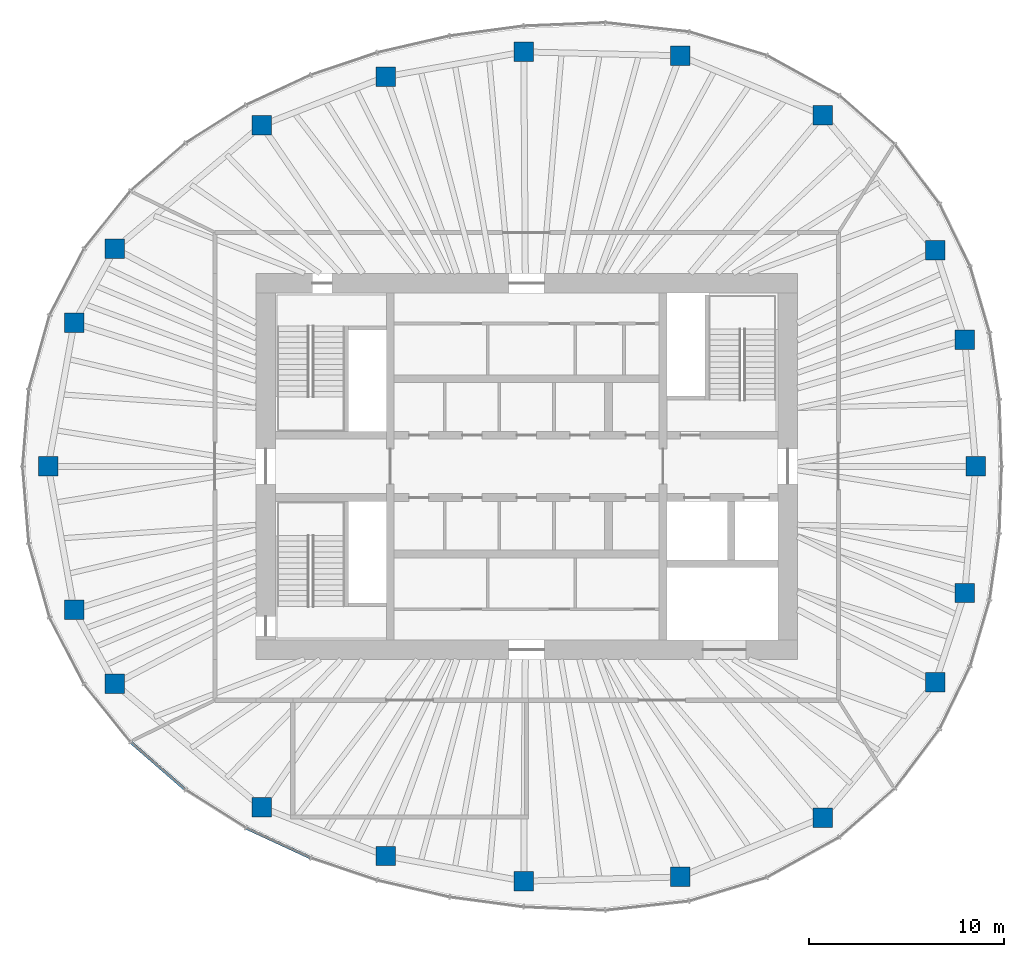
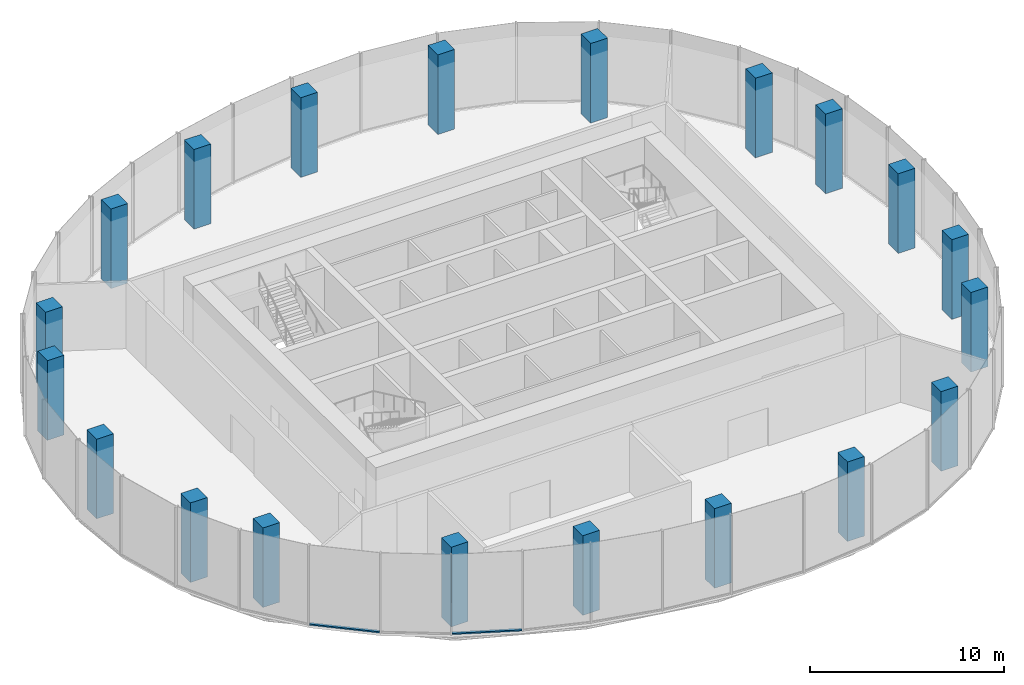
# One storey, part 1 of 11: 20 columns, 2 members, 2 elements without a shape of their own.
"""IFC4 building model written with IfcOpenShell, lengths in metres."""

import ifcopenshell
import ifcopenshell.guid

model = None  # the IFC model being written
_history = None  # IfcOwnerHistory: only IFC2X3 demands one
_inside = {}  # id of a spatial element -> (the spatial element, [elements in it])
_under = {}  # id of a project, library or spatial element -> (it, [spatial elements below it])
_declared = {}  # id of a project -> (the project, [libraries it declares])
_typed = {}  # id of a type object -> (the type object, [elements of that type])
_made_of = {}  # id of a material, layer set ... -> (it, [elements and type objects made of it])


def new_model(schema):
    """Start an empty IFC model of exactly this schema.

    Asked for "IFC4X3", IfcOpenShell would pick the latest addendum, in which some entities
    have other attributes; the version numbers below select the first issue.
    IFC2X3 requires an IfcOwnerHistory on every rooted entity: one is made here for all.
    """
    global model, _history
    if schema == "IFC4X3":
        model = ifcopenshell.file(schema_version=(4, 3, 0, 0))
    else:
        model = ifcopenshell.file(schema=schema)
    _inside.clear()
    _under.clear()
    _declared.clear()
    _typed.clear()
    _made_of.clear()
    _history = None
    if model.schema == "IFC2X3":
        org = make("IfcOrganization", Name="unknown")
        user = make(
            "IfcPersonAndOrganization",
            ThePerson=make("IfcPerson", FamilyName="unknown"),
            TheOrganization=org,
        )
        app = make(
            "IfcApplication",
            ApplicationDeveloper=org,
            Version="unknown",
            ApplicationFullName="unknown",
            ApplicationIdentifier="unknown",
        )
        _history = make(
            "IfcOwnerHistory",
            OwningUser=user,
            OwningApplication=app,
            ChangeAction="ADDED",
            CreationDate=0,
        )
    return model


def make(cls, **values):
    """One entity of the class cls with the attributes given. An attribute that is None is left unset."""
    return model.create_entity(
        cls, **{name: value for name, value in values.items() if value is not None}
    )


def rooted(cls, **values):
    """An entity with a GlobalId (a new one), such as an element, a storey or a relation."""
    return make(cls, GlobalId=ifcopenshell.guid.new(), OwnerHistory=_history, **values)


def si_unit(unit_type, name, prefix=None):
    """IfcSIUnit, for example si_unit("LENGTHUNIT", "METRE", prefix="MILLI")."""
    return make("IfcSIUnit", UnitType=unit_type, Prefix=prefix, Name=name)


def assignment(units):
    """IfcUnitAssignment: the units of a project."""
    return None if units is None else make("IfcUnitAssignment", Units=units)


def point(xyz):
    """IfcCartesianPoint."""
    return None if xyz is None else make("IfcCartesianPoint", Coordinates=xyz)


def direction(xyz):
    """IfcDirection."""
    return None if xyz is None else make("IfcDirection", DirectionRatios=xyz)


def frame(location, z_axis=None, x_axis=None):
    """IfcAxis2Placement3D, a coordinate frame: its origin and axes. An axis left out is left unset."""
    return make(
        "IfcAxis2Placement3D",
        Location=point(location),
        Axis=direction(z_axis),
        RefDirection=direction(x_axis),
    )


def frame_2d(location, x_axis=None):
    """IfcAxis2Placement2D, a coordinate frame in the plane: its origin and x axis."""
    return make(
        "IfcAxis2Placement2D", Location=point(location), RefDirection=direction(x_axis)
    )


def origin():
    """The frame at (0, 0, 0) with its axes left unset."""
    return frame((0.0, 0.0, 0.0))


def origin_2d():
    """The frame at (0, 0) in the plane with its x axis left unset."""
    return frame_2d((0.0, 0.0))


def place(relative_to, where):
    """IfcLocalPlacement: puts the frame where relative to a parent placement (None: the world)."""
    return make(
        "IfcLocalPlacement", PlacementRelTo=relative_to, RelativePlacement=where
    )


def context(
    kind, dimensions, precision=None, world=None, true_north=None, identifier=None
):
    """IfcGeometricRepresentationContext, for example the 3D "Model" context."""
    return make(
        "IfcGeometricRepresentationContext",
        ContextIdentifier=identifier,
        ContextType=kind,
        CoordinateSpaceDimension=dimensions,
        Precision=precision,
        WorldCoordinateSystem=world,
        TrueNorth=true_north,
    )


def subcontext(parent, identifier, kind, view, scale=None):
    """IfcGeometricRepresentationSubContext, for example "Body" below "Model"."""
    return make(
        "IfcGeometricRepresentationSubContext",
        ContextIdentifier=identifier,
        ContextType=kind,
        ParentContext=parent,
        TargetScale=scale,
        TargetView=view,
    )


def project(units=None, contexts=None):
    """IfcProject with its units and contexts."""
    return rooted(
        "IfcProject",
        Name="project",
        RepresentationContexts=contexts,
        UnitsInContext=assignment(units),
    )


def spatial(cls, under=None, at=None, **own):
    """A site, building, storey or space (cls), placed at a placement, below another one or the project."""
    s = rooted(cls, ObjectPlacement=at, **own)
    if under is not None:
        _under.setdefault(under.id(), (under, []))[1].append(s)
    return s


def profile(cls, at=None, kind="AREA", **sizes):
    """A parametric profile (cls). Its sizes go by their IFC names, for example OverallWidth=200.0."""
    return make(cls, ProfileType=kind, Position=at, **sizes)


def rectangle(**sizes):
    """IfcRectangleProfileDef."""
    return profile("IfcRectangleProfileDef", **sizes)


def extrude(swept, where, along, depth):
    """IfcExtrudedAreaSolid: the profile swept, set in the frame where, extruded along a direction by depth."""
    return make(
        "IfcExtrudedAreaSolid",
        SweptArea=swept,
        Position=where,
        ExtrudedDirection=direction(along),
        Depth=depth,
    )


def shape(context_of_items, identifier, shape_type, items):
    """IfcShapeRepresentation: the items that make up one representation, for example the "Body"."""
    return make(
        "IfcShapeRepresentation",
        ContextOfItems=context_of_items,
        RepresentationIdentifier=identifier,
        RepresentationType=shape_type,
        Items=items,
    )


def material(Name=None, Category=None):
    """IfcMaterial."""
    return make("IfcMaterial", Name=Name, Category=Category)


def material_profile(
    of_material, cross_section, Name=None, Category=None, Priority=None
):
    """IfcMaterialProfile: a cross section and its material."""
    return make(
        "IfcMaterialProfile",
        Name=Name,
        Material=of_material,
        Profile=cross_section,
        Priority=Priority,
        Category=Category,
    )


def profile_set(profiles, Name=None, composite=None):
    """IfcMaterialProfileSet."""
    return make(
        "IfcMaterialProfileSet",
        Name=Name,
        MaterialProfiles=profiles,
        CompositeProfile=composite,
    )


def made_of(thing, what):
    """Note that an element or type object is made of a material, layer set ...; save() writes the relation."""
    if what is not None:
        _made_of.setdefault(what.id(), (what, []))[1].append(thing)
    return thing


def type_object(cls, material=None, **own):
    """A type object (cls), such as IfcWallType, which elements share."""
    return made_of(rooted(cls, **own), material)


def element(
    cls,
    number,
    at=None,
    inside=None,
    cuts=None,
    type_object=None,
    material=None,
    context=None,
    identifier="Body",
    shape_type=None,
    held_by="IfcProductDefinitionShape",
    body=None,
    shapes=None,
    **own,
):
    """One element of the class cls, such as IfcWall. Its Tag is "e" and its number.

    at: its placement. inside: the storey or other place that contains it. cuts: it is an
    opening in that element (IfcRelVoidsElement). A single representation is given by context,
    identifier, shape_type and body (its items); several are given by shapes. held_by: the class
    of the entity that holds the representations. save() writes the other relations.
    """
    e = rooted(cls, Tag="e%d" % number, ObjectPlacement=at, **own)
    if body is not None:
        shapes = [shape(context, identifier, shape_type, body)]
    if shapes is not None:
        e.Representation = make(held_by, Representations=shapes)
    if inside is not None:
        _inside.setdefault(inside.id(), (inside, []))[1].append(e)
    if cuts is not None:
        rooted(
            "IfcRelVoidsElement", RelatingBuildingElement=cuts, RelatedOpeningElement=e
        )
    if type_object is not None:
        _typed.setdefault(type_object.id(), (type_object, []))[1].append(e)
    return made_of(e, material)


def aggregate(whole, parts):
    """IfcRelAggregates: a whole, such as a stair, and the parts it consists of."""
    return rooted("IfcRelAggregates", RelatingObject=whole, RelatedObjects=parts)


def save(model, path):
    """Write the relations noted so far, then the file.

    IfcRelAggregates (storeys below a building ...), IfcRelContainedInSpatialStructure (elements
    in a storey), IfcRelDefinesByType, IfcRelAssociatesMaterial and IfcRelDeclares: one each for
    every whole, place, type object, material and project.
    """
    for whole, parts in _under.values():
        aggregate(whole, parts)
    for where, things in _inside.values():
        rooted(
            "IfcRelContainedInSpatialStructure",
            RelatedElements=things,
            RelatingStructure=where,
        )
    for kind, things in _typed.values():
        rooted("IfcRelDefinesByType", RelatedObjects=things, RelatingType=kind)
    for what, things in _made_of.values():
        rooted("IfcRelAssociatesMaterial", RelatedObjects=things, RelatingMaterial=what)
    for by, libraries in _declared.values():
        rooted("IfcRelDeclares", RelatingContext=by, RelatedDefinitions=libraries)
    model.write(path)


model = new_model("IFC4")

# Units and contexts
model_context = context("Model", 3, precision=1e-05, world=origin(), true_north=direction((0.0, 1.0)))
body_context = subcontext(model_context, "Body", "Model", "MODEL_VIEW")
ifc_project = project(units=[si_unit("LENGTHUNIT", "METRE"), si_unit("AREAUNIT", "SQUARE_METRE"), si_unit("VOLUMEUNIT", "CUBIC_METRE"), si_unit("PLANEANGLEUNIT", "RADIAN"), si_unit("MASSUNIT", "GRAM", prefix="KILO")], contexts=[model_context])

# Site, building, storey
site_placement = place(None, origin())
site = spatial("IfcSite", under=ifc_project, at=site_placement, CompositionType="ELEMENT")
building_placement = place(site_placement, origin())
building = spatial("IfcBuilding", under=site, at=building_placement, Name="Ghaith Harvest Tower", CompositionType="ELEMENT")
storey_placement = place(building_placement, frame((0.0, 0.0, 339.199951171875)))
storey = spatial("IfcBuildingStorey", under=building, at=storey_placement, Name="L76", CompositionType="ELEMENT", Elevation=339.199951171875)

# Columns
ifc_material_1 = material(Name="Concrete C50/60", Category="concrete")
ifc_material_profile_1 = material_profile(ifc_material_1, rectangle(XDim=1.0, YDim=1.0, at=origin_2d()), Name="RC1000X1000")
ifc_profile_set_1 = profile_set([ifc_material_profile_1], Name="Concrete C50/60")
column_type = type_object("IfcColumnType", Name="TC8 RC1000X1000", PredefinedType="COLUMN", material=ifc_profile_set_1)
for number, where, z_axis, x_axis, name in (
    (1, (23.050048828125, 0.0, 0.0), (0.0, 0.0, 1.0), (1.0, 0.0, 0.0), "Perimeter column C01"),
    (2, (22.485107421875, 6.4990234375, 0.0), (0.0, 0.0, 1.0), (1.0, 0.0, 0.0), "Perimeter column C02"),
    (3, (20.97705078125, 11.087890625, 0.0), (0.0, 0.0, 1.0), (1.0, 0.0, 0.0), "Perimeter column C03"),
    (4, (15.197998046875, 18.02294921875, 0.0), (0.0, 0.0, 1.0), (1.0, 0.0, 0.0), "Perimeter column C04"),
    (5, (7.8779296875, 21.072021484375, 0.0), (0.0, 0.0, 1.0), (1.0, 0.0, 0.0), "Perimeter column C05"),
    (6, (-0.14599609375, 21.27099609375, 0.0), (0.0, 0.0, 1.0), (1.0, 0.0, 0.0), "Perimeter column C06"),
    (7, (-7.221923828125, 19.9970703125, 0.0), (0.0, 0.0, 1.0), (1.0, 0.0, 0.0), "Perimeter column C07"),
    (8, (-13.594970703125, 17.5048828125, 0.0), (0.0, 0.0, 1.0), (1.0, 0.0, 0.0), "Perimeter column C08"),
    (9, (-21.125, 11.166015625, 0.0), (0.0, 0.0, 1.0), (1.0, 0.0, 0.0), "Perimeter column C09"),
    (10, (-23.22412109375, 7.360107421875, 0.0), (0.0, 0.0, 1.0), (1.0, 0.0, 0.0), "Perimeter column C10"),
    (11, (-24.550048828125, 0.0, 0.0), (0.0, 0.0, 1.0), (1.0, 0.0, 0.0), "Perimeter column C11"),
    (12, (-23.22412109375, -7.360107421875, 0.0), (0.0, 0.0, 1.0), (1.0, 0.0, 0.0), "Perimeter column C12"),
    (13, (-21.125, -11.166015625, 0.0), (0.0, 0.0, 1.0), (1.0, 0.0, 0.0), "Perimeter column C13"),
    (14, (-13.594970703125, -17.5048828125, 0.0), (0.0, 0.0, 1.0), (1.0, 0.0, 0.0), "Perimeter column C14"),
    (15, (-7.221923828125, -19.9970703125, 0.0), (0.0, 0.0, 1.0), (1.0, 0.0, 0.0), "Perimeter column C15"),
    (16, (-0.14599609375, -21.285888671875, 0.0), (0.0, 0.0, 1.0), (1.0, 0.0, 0.0), "Perimeter column C16"),
    (17, (7.8779296875, -21.072021484375, 0.0), (0.0, 0.0, 1.0), (1.0, 0.0, 0.0), "Perimeter column C17"),
    (18, (15.197998046875, -18.02294921875, 0.0), (0.0, 0.0, 1.0), (1.0, 0.0, 0.0), "Perimeter column C18"),
    (19, (20.97705078125, -11.087890625, 0.0), (0.0, 0.0, 1.0), (1.0, 0.0, 0.0), "Perimeter column C19"),
    (20, (22.485107421875, -6.4990234375, 0.0), (0.0, 0.0, 1.0), (1.0, 0.0, 0.0), "Perimeter column C20"),
):
    element("IfcColumn", number, at=place(storey_placement, frame(where, z_axis=z_axis, x_axis=x_axis)), inside=storey, type_object=column_type, Name=name, PredefinedType="COLUMN", context=body_context, shape_type="SweptSolid", body=[
        extrude(rectangle(XDim=1.0, YDim=1.0, at=origin_2d()), origin(), (0.0, 0.0, 1.0), 5.0),
    ])

# Curtain wall, member
ifc_material_2 = material(Name="Black anodised aluminium and fritted glass", Category="aluminium")
curtain_wall_type = type_object("IfcCurtainWallType", Name="CW-C CURTAIN WALL", PredefinedType="NOTDEFINED", material=ifc_material_2)
curtain_wall_1_placement = place(storey_placement, origin())
curtain_wall_1 = element("IfcCurtainWall", 21, at=curtain_wall_1_placement, inside=storey, type_object=curtain_wall_type, Name="Curtain wall CW-C bay 13 L76", PredefinedType="NOTDEFINED")
ifc_material_3 = material(Name="Aluminium, black anodised", Category="aluminium")
ifc_material_profile_2 = material_profile(ifc_material_3, rectangle(XDim=0.159912109375, YDim=0.080078125, at=origin_2d()), Name="CW-C TRANSOM 160x80")
ifc_profile_set_2 = profile_set([ifc_material_profile_2], Name="Aluminium, black anodised")
member_type = type_object("IfcMemberType", Name="CW-C TRANSOM 160x80", PredefinedType="USERDEFINED", material=ifc_profile_set_2)
member_1_placement = place(storey_placement, frame((-20.294189453125, -14.168212890625, 0.0400390625), z_axis=(0.754851889287, -0.65589528527, 0.0), x_axis=(0.65589528527, 0.754851889287, 0.0)))
member_1 = element("IfcMember", 22, at=member_1_placement, type_object=member_type, Name="CW-C transom 1 bay 13 L76", ObjectType="TRANSOM", PredefinedType="USERDEFINED", context=body_context, shape_type="SweptSolid", body=[
    extrude(rectangle(XDim=0.159912109375, YDim=0.080078125, at=origin_2d()), origin(), (0.0, 0.0, 1.0), 3.668701171875),
])
aggregate(curtain_wall_1, [member_1])

curtain_wall_2_placement = place(storey_placement, origin())
curtain_wall_2 = element("IfcCurtainWall", 23, at=curtain_wall_2_placement, inside=storey, type_object=curtain_wall_type, Name="Curtain wall CW-C bay 14 L76", PredefinedType="NOTDEFINED")
member_2_placement = place(storey_placement, frame((-14.36865234375, -18.564697265625, 0.0400390625), z_axis=(0.907472177056, -0.420112184862, 0.0), x_axis=(0.420112184862, 0.907472177056, 0.0)))
member_2 = element("IfcMember", 24, at=member_2_placement, type_object=member_type, Name="CW-C transom 1 bay 14 L76", ObjectType="TRANSOM", PredefinedType="USERDEFINED", context=body_context, shape_type="SweptSolid", body=[
    extrude(rectangle(XDim=0.159912109375, YDim=0.080078125, at=origin_2d()), origin(), (0.0, 0.0, 1.0), 3.597900390625),
])
aggregate(curtain_wall_2, [member_2])

save(model, "model.ifc")
